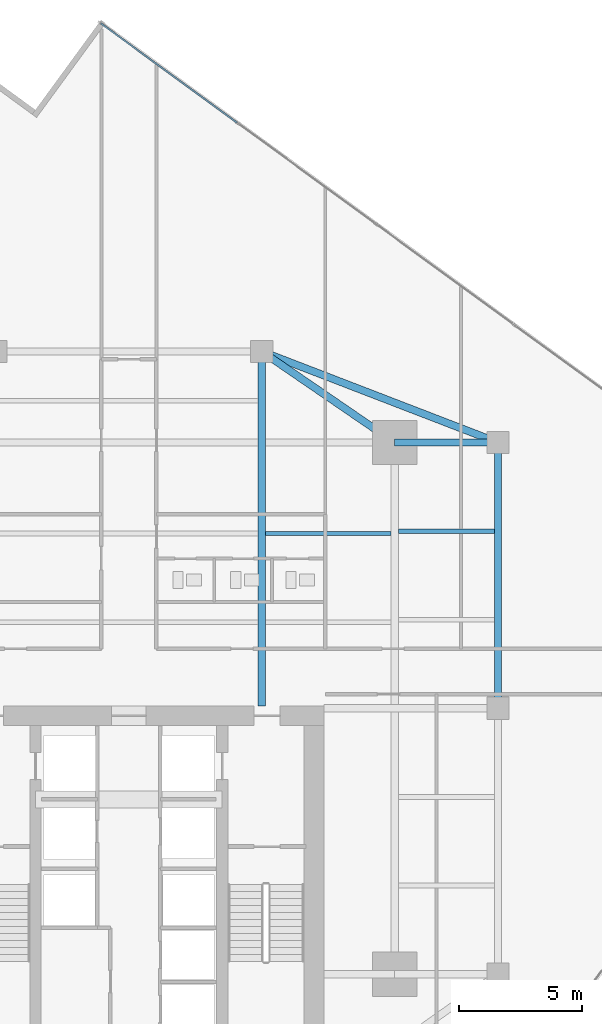
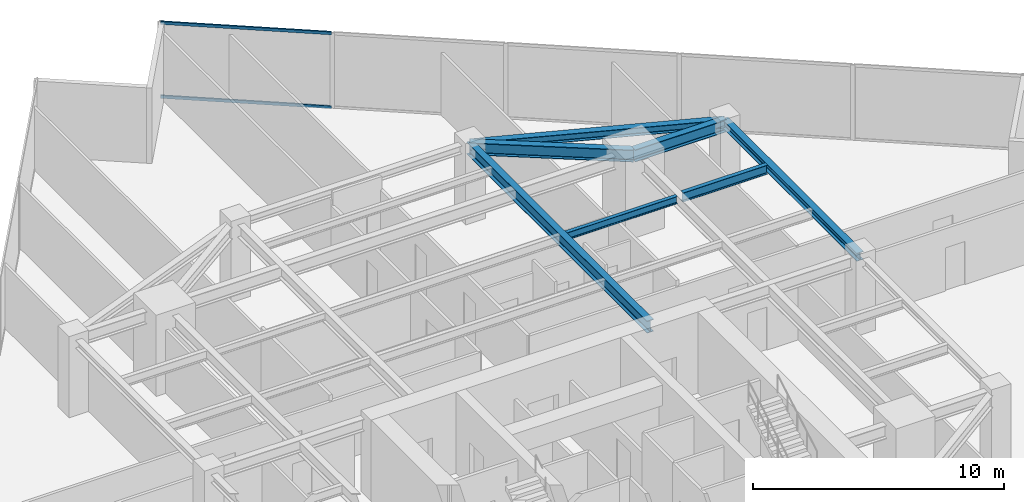
# One storey, part 16 of 25: 7 beams, 2 members, 1 element without a shape of its own.
"""IFC4 building model written with IfcOpenShell, lengths in metres."""

from ifc_helpers import new_model, si_unit, direction, frame, origin, origin_2d, place, context, subcontext, project, spatial, hollow_rectangle, i_section, extrude, source, transform, mapped, material, material_profile, profile_set, type_object, type_shapes, element, aggregate, save


model = new_model("IFC4")

# Units and contexts
model_context = context("Model", 3, precision=1e-05, world=origin(), true_north=direction((0.0, 1.0)))
body_context = subcontext(model_context, "Body", "Model", "MODEL_VIEW")
ifc_project = project(units=[si_unit("LENGTHUNIT", "METRE"), si_unit("AREAUNIT", "SQUARE_METRE"), si_unit("VOLUMEUNIT", "CUBIC_METRE"), si_unit("PLANEANGLEUNIT", "RADIAN"), si_unit("MASSUNIT", "GRAM", prefix="KILO")], contexts=[model_context])

# Site, building, storey
site_placement = place(None, origin())
site = spatial("IfcSite", under=ifc_project, at=site_placement, CompositionType="ELEMENT")
building_placement = place(site_placement, origin())
building = spatial("IfcBuilding", under=site, at=building_placement, Name="Krantzveldt Concourse Tower", CompositionType="ELEMENT")
storey_placement = place(building_placement, frame((0.0, 0.0, 193.60009765625)))
storey = spatial("IfcBuildingStorey", under=building, at=storey_placement, Name="L47", CompositionType="ELEMENT", Elevation=193.60009765625)

# Beams
ifc_material_1 = material(Name="Steel S355JR", Category="steel")
ifc_material_profile_1 = material_profile(ifc_material_1, i_section(OverallWidth=0.300048828125, OverallDepth=0.590087890625, WebThickness=0.012939453125, FlangeThickness=0.02490234375, FilletRadius=0.027099609375, at=origin_2d()), Name="Steel S355JR", Category="steel")
ifc_profile_set_1 = profile_set([ifc_material_profile_1], Name="Steel S355JR - HEA 600")
beam_type_1 = type_object("IfcBeamType", Name="BM-B-HEA600", PredefinedType="BEAM", material=ifc_profile_set_1)
shared_shape_1 = source(origin(), body_context, "Body", "SweptSolid", [
    extrude(i_section(OverallWidth=0.300048828125, OverallDepth=0.590087890625, WebThickness=0.012939453125, FlangeThickness=0.02490234375, FilletRadius=0.027099609375, at=origin_2d()), origin(), (0.0, 0.0, 1.0), 14.39990234375),
])
beam_1_placement = place(storey_placement, frame((41.39990234375, 26.800048828125, 3.375), z_axis=(0.0, 1.0, 0.0), x_axis=(-1.0, 0.0, 0.0)))
element("IfcBeam", 1, at=beam_1_placement, inside=storey, type_object=beam_type_1, Name="L47 Tower Girder BG-CNE", PredefinedType="BEAM", context=body_context, shape_type="MappedRepresentation", body=[
    mapped(shared_shape_1, transform((0.0, 0.0, 0.0), x_axis=(1.0, 0.0, 0.0), y_axis=(0.0, 1.0, 0.0), z_axis=(0.0, 0.0, 1.0), scale=1.0)),
])
shared_shape_2 = source(origin(), body_context, "Body", "SweptSolid", [
    extrude(i_section(OverallWidth=0.300048828125, OverallDepth=0.590087890625, WebThickness=0.012939453125, FlangeThickness=0.02490234375, FilletRadius=0.027099609375, at=origin_2d()), origin(), (0.0, 0.0, 1.0), 4.199951171875),
])
beam_2_placement = place(storey_placement, frame((46.800048828125, 37.5, 3.375), z_axis=(1.0, 0.0, 0.0), x_axis=(0.0, 1.0, 0.0)))
element("IfcBeam", 2, at=beam_2_placement, inside=storey, type_object=beam_type_1, Name="L47 Tower Girder BR-RR3", PredefinedType="BEAM", context=body_context, shape_type="MappedRepresentation", body=[
    mapped(shared_shape_2, transform((0.0, 0.0, 0.0), x_axis=(1.0, 0.0, 0.0), y_axis=(0.0, 1.0, 0.0), z_axis=(0.0, 0.0, 1.0), scale=1.0)),
])
shared_shape_3 = source(origin(), body_context, "Body", "SweptSolid", [
    extrude(i_section(OverallWidth=0.300048828125, OverallDepth=0.590087890625, WebThickness=0.012939453125, FlangeThickness=0.02490234375, FilletRadius=0.027099609375, at=origin_2d()), origin(), (0.0, 0.0, 1.0), 6.546142578125),
])
type_shapes(beam_type_1, [shared_shape_1, shared_shape_2, shared_shape_3])
beam_3_placement = place(storey_placement, frame((46.800048828125, 37.5, 3.375), z_axis=(-0.824942999484, 0.565215930068, 0.0), x_axis=(-0.565215930068, -0.824942999484, 0.0)))
element("IfcBeam", 3, at=beam_3_placement, inside=storey, type_object=beam_type_1, Name="L47 Tower Girder BR-RR4", PredefinedType="BEAM", context=body_context, shape_type="MappedRepresentation", body=[
    mapped(shared_shape_3, transform((0.0, 0.0, 0.0), x_axis=(1.0, 0.0, 0.0), y_axis=(0.0, 1.0, 0.0), z_axis=(0.0, 0.0, 1.0), scale=1.0)),
])
ifc_material_profile_2 = material_profile(ifc_material_1, i_section(OverallWidth=0.300048828125, OverallDepth=0.389892578125, WebThickness=0.010986328125, FlangeThickness=0.01904296875, FilletRadius=0.027099609375, at=origin_2d()), Name="Steel S355JR", Category="steel")
ifc_profile_set_2 = profile_set([ifc_material_profile_2], Name="Steel S355JR - HEA 400")
beam_type_2 = type_object("IfcBeamType", Name="BM-SP-HEA400", PredefinedType="SPANDREL", material=ifc_profile_set_2)
shared_shape_4 = source(origin(), body_context, "Body", "SweptSolid", [
    extrude(i_section(OverallWidth=0.300048828125, OverallDepth=0.389892578125, WebThickness=0.010986328125, FlangeThickness=0.01904296875, FilletRadius=0.027099609375, at=origin_2d()), origin(), (0.0, 0.0, 1.0), 10.800048828125),
])
beam_4_placement = place(storey_placement, frame((51.0, 37.5, 3.474853515625), z_axis=(0.0, -1.0, 0.0), x_axis=(1.0, 0.0, 0.0)))
element("IfcBeam", 4, at=beam_4_placement, inside=storey, type_object=beam_type_2, Name="L47 Tower Girder SP-R06", PredefinedType="SPANDREL", context=body_context, shape_type="MappedRepresentation", body=[
    mapped(shared_shape_4, transform((0.0, 0.0, 0.0), x_axis=(1.0, 0.0, 0.0), y_axis=(0.0, 1.0, 0.0), z_axis=(0.0, 0.0, 1.0), scale=1.0)),
])
shared_shape_5 = source(origin(), body_context, "Body", "SweptSolid", [
    extrude(i_section(OverallWidth=0.300048828125, OverallDepth=0.389892578125, WebThickness=0.010986328125, FlangeThickness=0.01904296875, FilletRadius=0.027099609375, at=origin_2d()), origin(), (0.0, 0.0, 1.0), 10.288330078125),
])
type_shapes(beam_type_2, [shared_shape_4, shared_shape_5])
beam_5_placement = place(storey_placement, frame((41.39990234375, 41.199951171875, 3.474853515625), z_axis=(0.933097690408, -0.359622997257, 0.0), x_axis=(0.359622997257, 0.933097690408, 0.0)))
element("IfcBeam", 5, at=beam_5_placement, inside=storey, type_object=beam_type_2, Name="L47 Tower Girder SP-R05", PredefinedType="SPANDREL", context=body_context, shape_type="MappedRepresentation", body=[
    mapped(shared_shape_5, transform((0.0, 0.0, 0.0), x_axis=(1.0, 0.0, 0.0), y_axis=(0.0, 1.0, 0.0), z_axis=(0.0, 0.0, 1.0), scale=1.0)),
])
ifc_material_profile_3 = material_profile(ifc_material_1, i_section(OverallWidth=0.169921875, OverallDepth=0.360107421875, WebThickness=0.008056640625, FlangeThickness=0.0126953125, FilletRadius=0.01806640625, at=origin_2d()), Name="Steel S355JR", Category="steel")
ifc_profile_set_3 = profile_set([ifc_material_profile_3], Name="Steel S355JR - IPE 360")
beam_type_3 = type_object("IfcBeamType", Name="BM-J-IPE360", PredefinedType="JOIST", material=ifc_profile_set_3)
shared_shape_6 = source(origin(), body_context, "Body", "SweptSolid", [
    extrude(i_section(OverallWidth=0.169921875, OverallDepth=0.360107421875, WebThickness=0.008056640625, FlangeThickness=0.0126953125, FilletRadius=0.01806640625, at=origin_2d()), origin(), (0.0, 0.0, 1.0), 5.099853515625),
])
type_shapes(beam_type_3, [shared_shape_6])
beam_6_placement = place(storey_placement, frame((41.550048828125, 33.800048828125, 3.489990234375), z_axis=(1.0, 0.0, 0.0), x_axis=(0.0, 1.0, 0.0)))
element("IfcBeam", 6, at=beam_6_placement, inside=storey, type_object=beam_type_3, Name="L47 Secondary Floor Joist JN-E2", PredefinedType="JOIST", context=body_context, shape_type="MappedRepresentation", body=[
    mapped(shared_shape_6, transform((0.0, 0.0, 0.0), x_axis=(1.0, 0.0, 0.0), y_axis=(0.0, 1.0, 0.0), z_axis=(0.0, 0.0, 1.0), scale=1.0)),
])
ifc_material_profile_4 = material_profile(ifc_material_1, i_section(OverallWidth=0.18994140625, OverallDepth=0.449951171875, WebThickness=0.009521484375, FlangeThickness=0.0146484375, FilletRadius=0.02099609375, at=origin_2d()), Name="Steel S355JR", Category="steel")
ifc_profile_set_4 = profile_set([ifc_material_profile_4], Name="Steel S355JR - IPE 450")
beam_type_4 = type_object("IfcBeamType", Name="BM-J-IPE450", PredefinedType="JOIST", material=ifc_profile_set_4)
shared_shape_7 = source(origin(), body_context, "Body", "SweptSolid", [
    extrude(i_section(OverallWidth=0.18994140625, OverallDepth=0.449951171875, WebThickness=0.009521484375, FlangeThickness=0.0146484375, FilletRadius=0.02099609375, at=origin_2d()), origin(), (0.0, 0.0, 1.0), 3.900146484375),
])
type_shapes(beam_type_4, [shared_shape_7])
beam_7_placement = place(storey_placement, frame((46.949951171875, 33.89990234375, 3.44482421875), z_axis=(1.0, 0.0, 0.0), x_axis=(0.0, 1.0, 0.0)))
element("IfcBeam", 7, at=beam_7_placement, inside=storey, type_object=beam_type_4, Name="L47 Secondary Floor Joist JE-4", PredefinedType="JOIST", context=body_context, shape_type="MappedRepresentation", body=[
    mapped(shared_shape_7, transform((0.0, 0.0, 0.0), x_axis=(1.0, 0.0, 0.0), y_axis=(0.0, 1.0, 0.0), z_axis=(0.0, 0.0, 1.0), scale=1.0)),
])

# Curtain wall, members
ifc_material_2 = material(Name="Anodised aluminium 6063-T6", Category="aluminium")
curtain_wall_type = type_object("IfcCurtainWallType", Name="CW3", PredefinedType="USERDEFINED", material=ifc_material_2)
curtain_wall_placement = place(storey_placement, origin())
curtain_wall = element("IfcCurtainWall", 8, at=curtain_wall_placement, inside=storey, type_object=curtain_wall_type, Name="CW-L47-F10", ObjectType="UNITISED CURTAIN WALL", PredefinedType="USERDEFINED")
ifc_material_profile_5 = material_profile(ifc_material_2, hollow_rectangle(XDim=0.070068359375, YDim=0.139892578125, WallThickness=0.0048828125, at=origin_2d()), Name="Anodised aluminium 6063-T6", Category="aluminium")
ifc_profile_set_5 = profile_set([ifc_material_profile_5], Name="Anodised aluminium 6063-T6 - ALU-TRAN 140x70x5")
member_type = type_object("IfcMemberType", Name="CW-TRN-150", PredefinedType="USERDEFINED", material=ifc_profile_set_5)
shared_shape_8 = source(origin(), body_context, "Body", "SweptSolid", [
    extrude(hollow_rectangle(XDim=0.070068359375, YDim=0.139892578125, WallThickness=0.0048828125, at=origin_2d()), origin(), (0.0, 0.0, 1.0), 6.854736328125),
])
type_shapes(member_type, [shared_shape_8])
member_1_placement = place(storey_placement, frame((40.39697265625, 50.4921875, 0.034912109375), z_axis=(-0.807732274439, 0.589549465973, 0.0), x_axis=(-0.589549465973, -0.807732274439, 0.0)))
member_1 = element("IfcMember", 9, at=member_1_placement, type_object=member_type, Name="CW-Z34 transom 5.1", ObjectType="TRANSOM", PredefinedType="USERDEFINED", context=body_context, shape_type="MappedRepresentation", body=[
    mapped(shared_shape_8, transform((0.0, 0.0, 0.0), x_axis=(1.0, 0.0, 0.0), y_axis=(0.0, 1.0, 0.0), z_axis=(0.0, 0.0, 1.0), scale=1.0)),
])
member_2_placement = place(storey_placement, frame((40.39697265625, 50.4921875, 3.635009765625), z_axis=(-0.807732274439, 0.589549465973, 0.0), x_axis=(-0.589549465973, -0.807732274439, 0.0)))
member_2 = element("IfcMember", 10, at=member_2_placement, type_object=member_type, Name="CW-Z34 transom 5.2", ObjectType="TRANSOM", PredefinedType="USERDEFINED", context=body_context, shape_type="MappedRepresentation", body=[
    mapped(shared_shape_8, transform((0.0, 0.0, 0.0), x_axis=(1.0, 0.0, 0.0), y_axis=(0.0, 1.0, 0.0), z_axis=(0.0, 0.0, 1.0), scale=1.0)),
])
aggregate(curtain_wall, [member_1, member_2])

save(model, "model.ifc")
